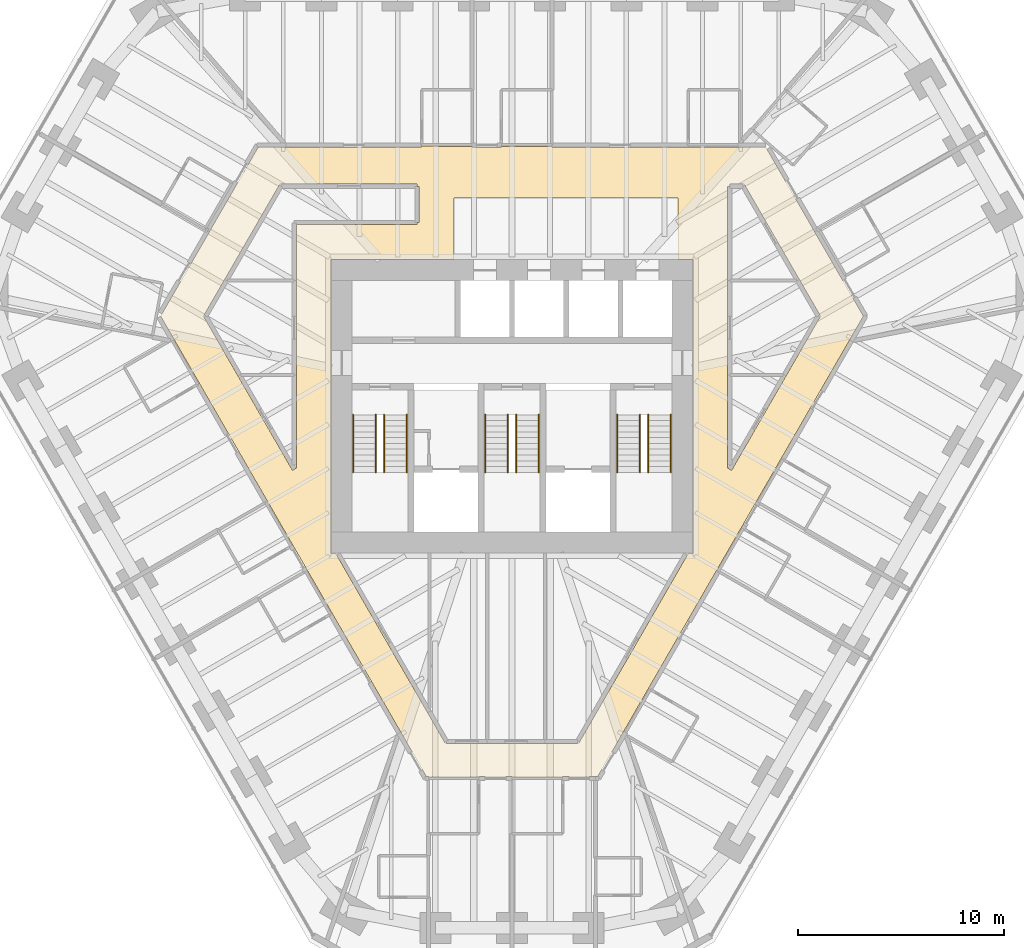
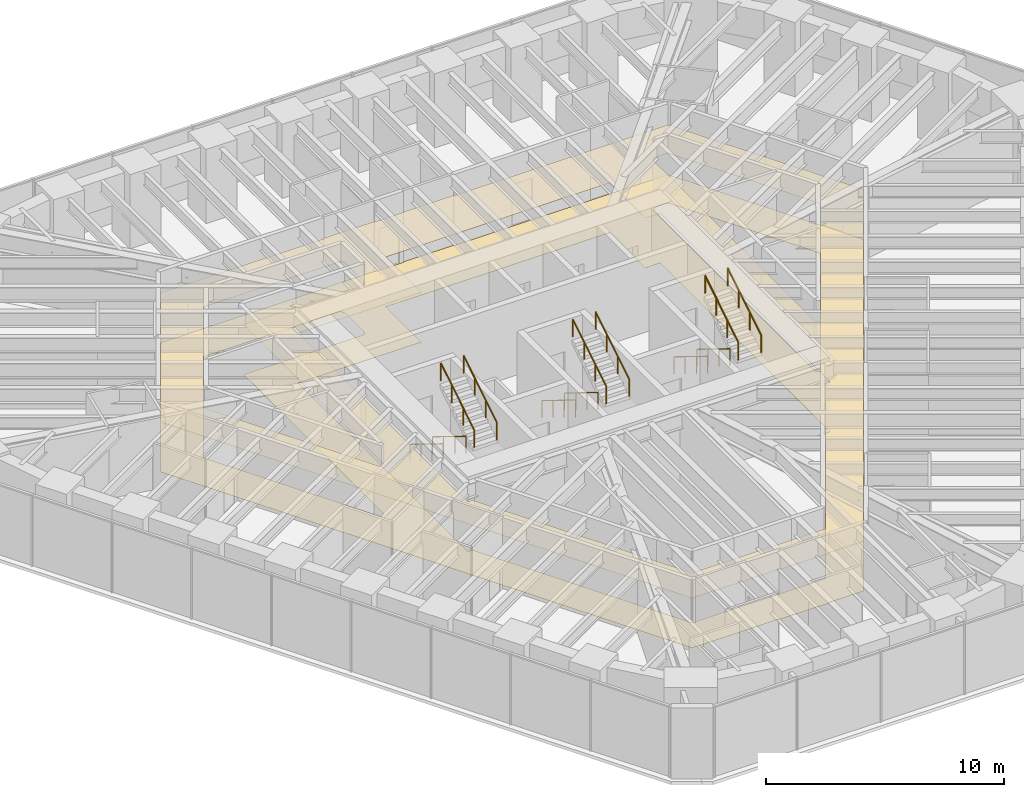
# One storey, part 16 of 16: 12 railings, 2 coverings.
"""IFC4 building model written with IfcOpenShell, lengths in metres."""

from ifc_helpers import new_model, si_unit, direction, frame, origin, origin_2d, place, context, subcontext, project, spatial, polyline, circle, outline, extrude, material, layer, layer_set, type_object, element, save


model = new_model("IFC4")

# Units and contexts
model_context = context("Model", 3, precision=1e-05, world=origin(), true_north=direction((0.0, 1.0)))
body_context = subcontext(model_context, "Body", "Model", "MODEL_VIEW")
ifc_project = project(units=[si_unit("LENGTHUNIT", "METRE"), si_unit("AREAUNIT", "SQUARE_METRE"), si_unit("VOLUMEUNIT", "CUBIC_METRE"), si_unit("PLANEANGLEUNIT", "RADIAN"), si_unit("MASSUNIT", "GRAM", prefix="KILO")], contexts=[model_context])

# Site, building, storey
site_placement = place(None, origin())
site = spatial("IfcSite", under=ifc_project, at=site_placement, CompositionType="ELEMENT")
building_placement = place(site_placement, origin())
building = spatial("IfcBuilding", under=site, at=building_placement, Name="Sandreach Pilgrim Tower", CompositionType="ELEMENT")
storey_placement = place(building_placement, frame((0.0, 0.0, 190.800048828125)))
storey = spatial("IfcBuildingStorey", under=building, at=storey_placement, Name="L47", CompositionType="ELEMENT", Elevation=190.800048828125)

# Coverings
ifc_material_1 = material(Name="Nylon carpet tile on the slab", Category="textile")
ifc_layer_1 = layer(ifc_material_1, 0.008056640625)
ifc_layer_set_1 = layer_set([ifc_layer_1], Name="Carpet tile")
covering_type_1 = type_object("IfcCoveringType", Name="Carpet tile", PredefinedType="FLOORING", material=ifc_layer_set_1)
covering_1_placement = place(storey_placement, origin())
element("IfcCovering", 1, at=covering_1_placement, inside=storey, type_object=covering_type_1, Name="Floor finish 47C Corridor 47", PredefinedType="FLOORING", context=body_context, shape_type="SweptSolid", body=[
    extrude(outline(polyline([(-17.0244140625, 4.369873046875), (-12.292236328125, 12.56005859375), (-4.3798828125, 12.56005859375), (-4.3798828125, 12.60009765625), (-1.929931640625, 12.59423828125), (-1.929931640625, 12.56005859375), (-0.52001953125, 12.56005859375), (-0.52001953125, 12.5908203125), (1.929931640625, 12.5849609375), (1.929931640625, 12.56005859375), (12.292236328125, 12.56005859375), (17.0244140625, 4.369873046875), (4.15234375, -17.929931640625), (2.449951171875, -17.929931640625), (2.449951171875, -17.969970703125), (0.0, -17.955078125), (0.0, -17.929931640625), (-1.60009765625, -17.929931640625), (-1.60009765625, -17.945556640625), (-4.15234375, -17.929931640625), (-17.0244140625, 4.369873046875)]), holes=[polyline([(10.449951171875, 10.659912109375), (10.449951171875, -2.9921875), (10.63671875, -3.10009765625), (14.945556640625, 4.370361328125), (11.247802734375, 10.760009765625), (10.56005859375, 10.760009765625), (10.56005859375, 10.66015625), (10.449951171875, 10.659912109375)]), polyline([(-3.227783203125, -16.330078125), (3.227783203125, -16.330078125), (8.542724609375, -7.1201171875), (8.77001953125, -7.1201171875), (8.77001953125, 7.1201171875), (8.050048828125, 7.1201171875), (8.050048828125, 10.10009765625), (-2.800048828125, 10.10009765625), (-2.800048828125, 7.1201171875), (-8.77001953125, 7.1201171875), (-8.77001953125, -7.1201171875), (-8.542724609375, -7.1201171875), (-3.227783203125, -16.330078125)]), polyline([(-14.945556640625, 4.370361328125), (-10.636474609375, -3.10009765625), (-10.449951171875, -2.9921875), (-10.449951171875, 8.800048828125), (-4.60009765625, 8.800048828125), (-4.60009765625, 8.909912109375), (-4.5, 8.909912109375), (-4.5, 10.64990234375), (-4.60009765625, 10.64990234375), (-4.60009765625, 10.760009765625), (-11.247802734375, 10.760009765625), (-14.945556640625, 4.370361328125)])]), origin(), (0.0, 0.0, 1.0), 0.008056640625),
])
ifc_material_2 = material(Name="Gypsum board suspended ceiling on a steel grid", Category="steel")
ifc_layer_2 = layer(ifc_material_2, 0.012939453125)
ifc_layer_set_2 = layer_set([ifc_layer_2], Name="Gypsum board suspended ceiling")
covering_type_2 = type_object("IfcCoveringType", Name="Gypsum board suspended ceiling", PredefinedType="CEILING", material=ifc_layer_set_2)
covering_2_placement = place(storey_placement, frame((0.0, 0.0, 2.550048828125)))
element("IfcCovering", 2, at=covering_2_placement, inside=storey, type_object=covering_type_2, Name="Ceiling 47C Corridor 47", PredefinedType="CEILING", context=body_context, shape_type="SweptSolid", body=[
    extrude(outline(polyline([(-17.0244140625, 4.369873046875), (-12.292236328125, 12.56005859375), (-4.3798828125, 12.56005859375), (-4.3798828125, 12.60009765625), (-1.929931640625, 12.59423828125), (-1.929931640625, 12.56005859375), (-0.52001953125, 12.56005859375), (-0.52001953125, 12.5908203125), (1.929931640625, 12.5849609375), (1.929931640625, 12.56005859375), (12.292236328125, 12.56005859375), (17.0244140625, 4.369873046875), (4.15234375, -17.929931640625), (2.449951171875, -17.929931640625), (2.449951171875, -17.969970703125), (0.0, -17.955078125), (0.0, -17.929931640625), (-1.60009765625, -17.929931640625), (-1.60009765625, -17.945556640625), (-4.15234375, -17.929931640625), (-17.0244140625, 4.369873046875)]), holes=[polyline([(10.449951171875, 10.659912109375), (10.449951171875, -2.9921875), (10.63671875, -3.10009765625), (14.945556640625, 4.370361328125), (11.247802734375, 10.760009765625), (10.56005859375, 10.760009765625), (10.56005859375, 10.66015625), (10.449951171875, 10.659912109375)]), polyline([(-3.227783203125, -16.330078125), (3.227783203125, -16.330078125), (8.542724609375, -7.1201171875), (8.77001953125, -7.1201171875), (8.77001953125, 7.1201171875), (8.050048828125, 7.1201171875), (8.050048828125, 10.10009765625), (-2.800048828125, 10.10009765625), (-2.800048828125, 7.1201171875), (-8.77001953125, 7.1201171875), (-8.77001953125, -7.1201171875), (-8.542724609375, -7.1201171875), (-3.227783203125, -16.330078125)]), polyline([(-14.945556640625, 4.370361328125), (-10.636474609375, -3.10009765625), (-10.449951171875, -2.9921875), (-10.449951171875, 8.800048828125), (-4.60009765625, 8.800048828125), (-4.60009765625, 8.909912109375), (-4.5, 8.909912109375), (-4.5, 10.64990234375), (-4.60009765625, 10.64990234375), (-4.60009765625, 10.760009765625), (-11.247802734375, 10.760009765625), (-14.945556640625, 4.370361328125)])]), origin(), (0.0, 0.0, 1.0), 0.012939453125),
])

# Railings
ifc_material_3 = material(Name="Stainless steel tube", Category="steel")
railing_type = type_object("IfcRailingType", Name="Stair handrail", PredefinedType="HANDRAIL", material=ifc_material_3)
for number, where, name in (
    (3, (-6.60009765625, -0.39990234375, 0.172607421875), "Handrail ST1 L47 flight 1"),
    (4, (-7.699951171875, -0.39990234375, 0.172607421875), "Handrail ST1 L47 flight 1"),
):
    element("IfcRailing", number, at=place(storey_placement, frame(where)), inside=storey, type_object=railing_type, Name=name, PredefinedType="HANDRAIL", context=body_context, shape_type="SweptSolid", body=[
        extrude(circle(Radius=0.02392578125, at=origin_2d()), frame((0.0, 0.0, 0.8759765625), z_axis=(0.0, -0.851089632645, 0.525020415988), x_axis=(1.0, 0.0, 0.0)), (0.0, 0.0, 1.0), 3.2900390625),
        extrude(circle(Radius=0.02099609375, at=origin_2d()), origin(), (0.0, 0.0, 1.0), 0.851806640625),
        extrude(circle(Radius=0.02099609375, at=origin_2d()), frame((0.0, -0.933349609375, 0.57568359375)), (0.0, 0.0, 1.0), 0.851806640625),
        extrude(circle(Radius=0.02099609375, at=origin_2d()), frame((0.0, -1.86669921875, 1.151611328125)), (0.0, 0.0, 1.0), 0.851806640625),
        extrude(circle(Radius=0.02099609375, at=origin_2d()), frame((0.0, -2.800048828125, 1.727294921875)), (0.0, 0.0, 1.0), 0.851806640625),
    ])
for number, where, name in (
    (5, (-6.199951171875, -3.199951171875, 2.07275390625), "Handrail ST1 L47 flight 2"),
    (6, (-5.10009765625, -3.199951171875, 2.07275390625), "Handrail ST1 L47 flight 2"),
):
    element("IfcRailing", number, at=place(storey_placement, frame(where)), inside=storey, type_object=railing_type, Name=name, PredefinedType="HANDRAIL", context=body_context, shape_type="SweptSolid", body=[
        extrude(circle(Radius=0.02392578125, at=origin_2d()), frame((0.0, 0.0, 0.8759765625), z_axis=(0.0, 0.851089632645, 0.525020415988), x_axis=(-1.0, 0.0, 0.0)), (0.0, 0.0, 1.0), 3.2900390625),
        extrude(circle(Radius=0.02099609375, at=origin_2d()), origin(), (0.0, 0.0, 1.0), 0.851806640625),
        extrude(circle(Radius=0.02099609375, at=origin_2d()), frame((0.0, 0.933349609375, 0.57568359375)), (0.0, 0.0, 1.0), 0.851806640625),
        extrude(circle(Radius=0.02099609375, at=origin_2d()), frame((0.0, 1.86669921875, 1.151611328125)), (0.0, 0.0, 1.0), 0.851806640625),
        extrude(circle(Radius=0.02099609375, at=origin_2d()), frame((0.0, 2.800048828125, 1.727294921875)), (0.0, 0.0, 1.0), 0.851806640625),
    ])
for number, where, name in (
    (7, (-0.199951171875, -0.39990234375, 0.172607421875), "Handrail ST3 L47 flight 1"),
    (8, (-1.300048828125, -0.39990234375, 0.172607421875), "Handrail ST3 L47 flight 1"),
):
    element("IfcRailing", number, at=place(storey_placement, frame(where)), inside=storey, type_object=railing_type, Name=name, PredefinedType="HANDRAIL", context=body_context, shape_type="SweptSolid", body=[
        extrude(circle(Radius=0.02392578125, at=origin_2d()), frame((0.0, 0.0, 0.8759765625), z_axis=(0.0, -0.851089632645, 0.525020415988), x_axis=(1.0, 0.0, 0.0)), (0.0, 0.0, 1.0), 3.2900390625),
        extrude(circle(Radius=0.02099609375, at=origin_2d()), origin(), (0.0, 0.0, 1.0), 0.851806640625),
        extrude(circle(Radius=0.02099609375, at=origin_2d()), frame((0.0, -0.933349609375, 0.57568359375)), (0.0, 0.0, 1.0), 0.851806640625),
        extrude(circle(Radius=0.02099609375, at=origin_2d()), frame((0.0, -1.86669921875, 1.151611328125)), (0.0, 0.0, 1.0), 0.851806640625),
        extrude(circle(Radius=0.02099609375, at=origin_2d()), frame((0.0, -2.800048828125, 1.727294921875)), (0.0, 0.0, 1.0), 0.851806640625),
    ])
for number, where, name in (
    (9, (0.199951171875, -3.199951171875, 2.07275390625), "Handrail ST3 L47 flight 2"),
    (10, (1.300048828125, -3.199951171875, 2.07275390625), "Handrail ST3 L47 flight 2"),
):
    element("IfcRailing", number, at=place(storey_placement, frame(where)), inside=storey, type_object=railing_type, Name=name, PredefinedType="HANDRAIL", context=body_context, shape_type="SweptSolid", body=[
        extrude(circle(Radius=0.02392578125, at=origin_2d()), frame((0.0, 0.0, 0.8759765625), z_axis=(0.0, 0.851089632645, 0.525020415988), x_axis=(-1.0, 0.0, 0.0)), (0.0, 0.0, 1.0), 3.2900390625),
        extrude(circle(Radius=0.02099609375, at=origin_2d()), origin(), (0.0, 0.0, 1.0), 0.851806640625),
        extrude(circle(Radius=0.02099609375, at=origin_2d()), frame((0.0, 0.933349609375, 0.57568359375)), (0.0, 0.0, 1.0), 0.851806640625),
        extrude(circle(Radius=0.02099609375, at=origin_2d()), frame((0.0, 1.86669921875, 1.151611328125)), (0.0, 0.0, 1.0), 0.851806640625),
        extrude(circle(Radius=0.02099609375, at=origin_2d()), frame((0.0, 2.800048828125, 1.727294921875)), (0.0, 0.0, 1.0), 0.851806640625),
    ])
for number, where, name in (
    (11, (6.199951171875, -0.39990234375, 0.172607421875), "Handrail ST2 L47 flight 1"),
    (12, (5.10009765625, -0.39990234375, 0.172607421875), "Handrail ST2 L47 flight 1"),
):
    element("IfcRailing", number, at=place(storey_placement, frame(where)), inside=storey, type_object=railing_type, Name=name, PredefinedType="HANDRAIL", context=body_context, shape_type="SweptSolid", body=[
        extrude(circle(Radius=0.02392578125, at=origin_2d()), frame((0.0, 0.0, 0.8759765625), z_axis=(0.0, -0.851089632645, 0.525020415988), x_axis=(1.0, 0.0, 0.0)), (0.0, 0.0, 1.0), 3.2900390625),
        extrude(circle(Radius=0.02099609375, at=origin_2d()), origin(), (0.0, 0.0, 1.0), 0.851806640625),
        extrude(circle(Radius=0.02099609375, at=origin_2d()), frame((0.0, -0.933349609375, 0.57568359375)), (0.0, 0.0, 1.0), 0.851806640625),
        extrude(circle(Radius=0.02099609375, at=origin_2d()), frame((0.0, -1.86669921875, 1.151611328125)), (0.0, 0.0, 1.0), 0.851806640625),
        extrude(circle(Radius=0.02099609375, at=origin_2d()), frame((0.0, -2.800048828125, 1.727294921875)), (0.0, 0.0, 1.0), 0.851806640625),
    ])
for number, where, name in (
    (13, (6.60009765625, -3.199951171875, 2.07275390625), "Handrail ST2 L47 flight 2"),
    (14, (7.699951171875, -3.199951171875, 2.07275390625), "Handrail ST2 L47 flight 2"),
):
    element("IfcRailing", number, at=place(storey_placement, frame(where)), inside=storey, type_object=railing_type, Name=name, PredefinedType="HANDRAIL", context=body_context, shape_type="SweptSolid", body=[
        extrude(circle(Radius=0.02392578125, at=origin_2d()), frame((0.0, 0.0, 0.8759765625), z_axis=(0.0, 0.851089632645, 0.525020415988), x_axis=(-1.0, 0.0, 0.0)), (0.0, 0.0, 1.0), 3.2900390625),
        extrude(circle(Radius=0.02099609375, at=origin_2d()), origin(), (0.0, 0.0, 1.0), 0.851806640625),
        extrude(circle(Radius=0.02099609375, at=origin_2d()), frame((0.0, 0.933349609375, 0.57568359375)), (0.0, 0.0, 1.0), 0.851806640625),
        extrude(circle(Radius=0.02099609375, at=origin_2d()), frame((0.0, 1.86669921875, 1.151611328125)), (0.0, 0.0, 1.0), 0.851806640625),
        extrude(circle(Radius=0.02099609375, at=origin_2d()), frame((0.0, 2.800048828125, 1.727294921875)), (0.0, 0.0, 1.0), 0.851806640625),
    ])

save(model, "model.ifc")
